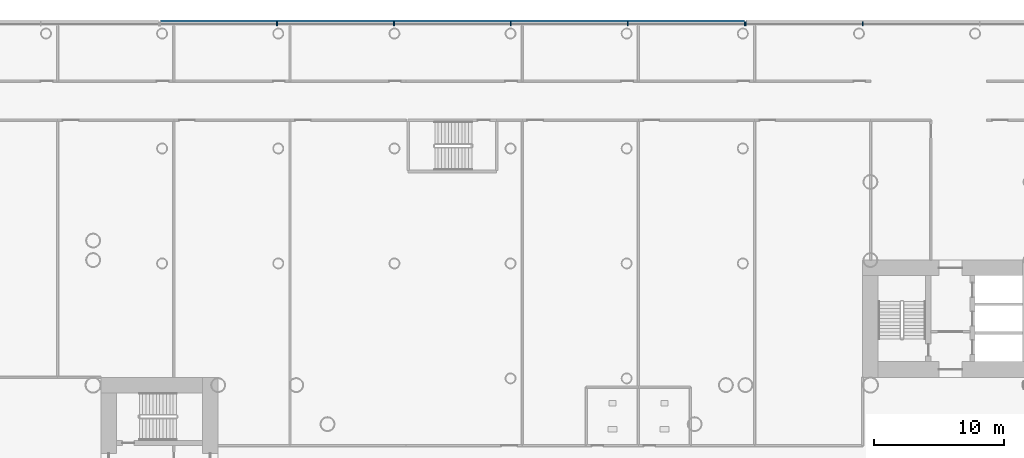
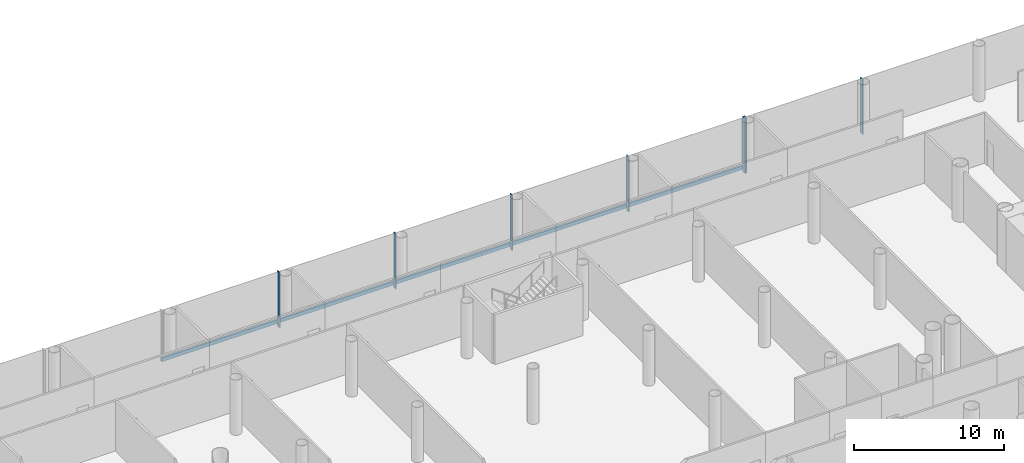
# One storey, part 11 of 51: 8 members, 2 elements without a shape of their own.
"""IFC4 building model written with IfcOpenShell, lengths in metres."""

import ifcopenshell
import ifcopenshell.guid

model = None  # the IFC model being written
_history = None  # IfcOwnerHistory: only IFC2X3 demands one
_inside = {}  # id of a spatial element -> (the spatial element, [elements in it])
_under = {}  # id of a project, library or spatial element -> (it, [spatial elements below it])
_declared = {}  # id of a project -> (the project, [libraries it declares])
_typed = {}  # id of a type object -> (the type object, [elements of that type])
_made_of = {}  # id of a material, layer set ... -> (it, [elements and type objects made of it])


def new_model(schema):
    """Start an empty IFC model of exactly this schema.

    Asked for "IFC4X3", IfcOpenShell would pick the latest addendum, in which some entities
    have other attributes; the version numbers below select the first issue.
    IFC2X3 requires an IfcOwnerHistory on every rooted entity: one is made here for all.
    """
    global model, _history
    if schema == "IFC4X3":
        model = ifcopenshell.file(schema_version=(4, 3, 0, 0))
    else:
        model = ifcopenshell.file(schema=schema)
    _inside.clear()
    _under.clear()
    _declared.clear()
    _typed.clear()
    _made_of.clear()
    _history = None
    if model.schema == "IFC2X3":
        org = make("IfcOrganization", Name="unknown")
        user = make(
            "IfcPersonAndOrganization",
            ThePerson=make("IfcPerson", FamilyName="unknown"),
            TheOrganization=org,
        )
        app = make(
            "IfcApplication",
            ApplicationDeveloper=org,
            Version="unknown",
            ApplicationFullName="unknown",
            ApplicationIdentifier="unknown",
        )
        _history = make(
            "IfcOwnerHistory",
            OwningUser=user,
            OwningApplication=app,
            ChangeAction="ADDED",
            CreationDate=0,
        )
    return model


def make(cls, **values):
    """One entity of the class cls with the attributes given. An attribute that is None is left unset."""
    return model.create_entity(
        cls, **{name: value for name, value in values.items() if value is not None}
    )


def rooted(cls, **values):
    """An entity with a GlobalId (a new one), such as an element, a storey or a relation."""
    return make(cls, GlobalId=ifcopenshell.guid.new(), OwnerHistory=_history, **values)


def si_unit(unit_type, name, prefix=None):
    """IfcSIUnit, for example si_unit("LENGTHUNIT", "METRE", prefix="MILLI")."""
    return make("IfcSIUnit", UnitType=unit_type, Prefix=prefix, Name=name)


def assignment(units):
    """IfcUnitAssignment: the units of a project."""
    return None if units is None else make("IfcUnitAssignment", Units=units)


def point(xyz):
    """IfcCartesianPoint."""
    return None if xyz is None else make("IfcCartesianPoint", Coordinates=xyz)


def direction(xyz):
    """IfcDirection."""
    return None if xyz is None else make("IfcDirection", DirectionRatios=xyz)


def frame(location, z_axis=None, x_axis=None):
    """IfcAxis2Placement3D, a coordinate frame: its origin and axes. An axis left out is left unset."""
    return make(
        "IfcAxis2Placement3D",
        Location=point(location),
        Axis=direction(z_axis),
        RefDirection=direction(x_axis),
    )


def frame_2d(location, x_axis=None):
    """IfcAxis2Placement2D, a coordinate frame in the plane: its origin and x axis."""
    return make(
        "IfcAxis2Placement2D", Location=point(location), RefDirection=direction(x_axis)
    )


def origin():
    """The frame at (0, 0, 0) with its axes left unset."""
    return frame((0.0, 0.0, 0.0))


def origin_2d():
    """The frame at (0, 0) in the plane with its x axis left unset."""
    return frame_2d((0.0, 0.0))


def place(relative_to, where):
    """IfcLocalPlacement: puts the frame where relative to a parent placement (None: the world)."""
    return make(
        "IfcLocalPlacement", PlacementRelTo=relative_to, RelativePlacement=where
    )


def context(
    kind, dimensions, precision=None, world=None, true_north=None, identifier=None
):
    """IfcGeometricRepresentationContext, for example the 3D "Model" context."""
    return make(
        "IfcGeometricRepresentationContext",
        ContextIdentifier=identifier,
        ContextType=kind,
        CoordinateSpaceDimension=dimensions,
        Precision=precision,
        WorldCoordinateSystem=world,
        TrueNorth=true_north,
    )


def subcontext(parent, identifier, kind, view, scale=None):
    """IfcGeometricRepresentationSubContext, for example "Body" below "Model"."""
    return make(
        "IfcGeometricRepresentationSubContext",
        ContextIdentifier=identifier,
        ContextType=kind,
        ParentContext=parent,
        TargetScale=scale,
        TargetView=view,
    )


def project(units=None, contexts=None):
    """IfcProject with its units and contexts."""
    return rooted(
        "IfcProject",
        Name="project",
        RepresentationContexts=contexts,
        UnitsInContext=assignment(units),
    )


def spatial(cls, under=None, at=None, **own):
    """A site, building, storey or space (cls), placed at a placement, below another one or the project."""
    s = rooted(cls, ObjectPlacement=at, **own)
    if under is not None:
        _under.setdefault(under.id(), (under, []))[1].append(s)
    return s


def profile(cls, at=None, kind="AREA", **sizes):
    """A parametric profile (cls). Its sizes go by their IFC names, for example OverallWidth=200.0."""
    return make(cls, ProfileType=kind, Position=at, **sizes)


def rectangle(**sizes):
    """IfcRectangleProfileDef."""
    return profile("IfcRectangleProfileDef", **sizes)


def extrude(swept, where, along, depth):
    """IfcExtrudedAreaSolid: the profile swept, set in the frame where, extruded along a direction by depth."""
    return make(
        "IfcExtrudedAreaSolid",
        SweptArea=swept,
        Position=where,
        ExtrudedDirection=direction(along),
        Depth=depth,
    )


def shape(context_of_items, identifier, shape_type, items):
    """IfcShapeRepresentation: the items that make up one representation, for example the "Body"."""
    return make(
        "IfcShapeRepresentation",
        ContextOfItems=context_of_items,
        RepresentationIdentifier=identifier,
        RepresentationType=shape_type,
        Items=items,
    )


def material(Name=None, Category=None):
    """IfcMaterial."""
    return make("IfcMaterial", Name=Name, Category=Category)


def layer(
    of_material, thickness, ventilated=None, Name=None, Category=None, Priority=None
):
    """IfcMaterialLayer: one layer of a wall or slab, of a material (None: an air gap)."""
    return make(
        "IfcMaterialLayer",
        Material=of_material,
        LayerThickness=thickness,
        IsVentilated=ventilated,
        Name=Name,
        Category=Category,
        Priority=Priority,
    )


def layer_set(layers, Name=None):
    """IfcMaterialLayerSet."""
    return make("IfcMaterialLayerSet", MaterialLayers=layers, LayerSetName=Name)


def material_profile(
    of_material, cross_section, Name=None, Category=None, Priority=None
):
    """IfcMaterialProfile: a cross section and its material."""
    return make(
        "IfcMaterialProfile",
        Name=Name,
        Material=of_material,
        Profile=cross_section,
        Priority=Priority,
        Category=Category,
    )


def profile_set(profiles, Name=None, composite=None):
    """IfcMaterialProfileSet."""
    return make(
        "IfcMaterialProfileSet",
        Name=Name,
        MaterialProfiles=profiles,
        CompositeProfile=composite,
    )


def made_of(thing, what):
    """Note that an element or type object is made of a material, layer set ...; save() writes the relation."""
    if what is not None:
        _made_of.setdefault(what.id(), (what, []))[1].append(thing)
    return thing


def type_object(cls, material=None, **own):
    """A type object (cls), such as IfcWallType, which elements share."""
    return made_of(rooted(cls, **own), material)


def element(
    cls,
    number,
    at=None,
    inside=None,
    cuts=None,
    type_object=None,
    material=None,
    context=None,
    identifier="Body",
    shape_type=None,
    held_by="IfcProductDefinitionShape",
    body=None,
    shapes=None,
    **own,
):
    """One element of the class cls, such as IfcWall. Its Tag is "e" and its number.

    at: its placement. inside: the storey or other place that contains it. cuts: it is an
    opening in that element (IfcRelVoidsElement). A single representation is given by context,
    identifier, shape_type and body (its items); several are given by shapes. held_by: the class
    of the entity that holds the representations. save() writes the other relations.
    """
    e = rooted(cls, Tag="e%d" % number, ObjectPlacement=at, **own)
    if body is not None:
        shapes = [shape(context, identifier, shape_type, body)]
    if shapes is not None:
        e.Representation = make(held_by, Representations=shapes)
    if inside is not None:
        _inside.setdefault(inside.id(), (inside, []))[1].append(e)
    if cuts is not None:
        rooted(
            "IfcRelVoidsElement", RelatingBuildingElement=cuts, RelatedOpeningElement=e
        )
    if type_object is not None:
        _typed.setdefault(type_object.id(), (type_object, []))[1].append(e)
    return made_of(e, material)


def aggregate(whole, parts):
    """IfcRelAggregates: a whole, such as a stair, and the parts it consists of."""
    return rooted("IfcRelAggregates", RelatingObject=whole, RelatedObjects=parts)


def save(model, path):
    """Write the relations noted so far, then the file.

    IfcRelAggregates (storeys below a building ...), IfcRelContainedInSpatialStructure (elements
    in a storey), IfcRelDefinesByType, IfcRelAssociatesMaterial and IfcRelDeclares: one each for
    every whole, place, type object, material and project.
    """
    for whole, parts in _under.values():
        aggregate(whole, parts)
    for where, things in _inside.values():
        rooted(
            "IfcRelContainedInSpatialStructure",
            RelatedElements=things,
            RelatingStructure=where,
        )
    for kind, things in _typed.values():
        rooted("IfcRelDefinesByType", RelatedObjects=things, RelatingType=kind)
    for what, things in _made_of.values():
        rooted("IfcRelAssociatesMaterial", RelatedObjects=things, RelatingMaterial=what)
    for by, libraries in _declared.values():
        rooted("IfcRelDeclares", RelatingContext=by, RelatedDefinitions=libraries)
    model.write(path)


model = new_model("IFC4")

# Units and contexts
model_context = context("Model", 3, precision=1e-05, world=origin(), true_north=direction((0.0, 1.0)))
body_context = subcontext(model_context, "Body", "Model", "MODEL_VIEW")
ifc_project = project(units=[si_unit("LENGTHUNIT", "METRE"), si_unit("AREAUNIT", "SQUARE_METRE"), si_unit("VOLUMEUNIT", "CUBIC_METRE"), si_unit("PLANEANGLEUNIT", "RADIAN"), si_unit("MASSUNIT", "GRAM", prefix="KILO")], contexts=[model_context])

# Site, building, storey
site_placement = place(None, origin())
site = spatial("IfcSite", under=ifc_project, at=site_placement, CompositionType="ELEMENT")
building_placement = place(site_placement, origin())
building = spatial("IfcBuilding", under=site, at=building_placement, Name="Ipe Terrace Towers", CompositionType="ELEMENT")
storey_placement = place(building_placement, frame((0.0, 0.0, 15.5)))
storey = spatial("IfcBuildingStorey", under=building, at=storey_placement, Name="L03", CompositionType="ELEMENT", Elevation=15.5)

# Curtain wall, members
ifc_material_1 = material(Name="Aluminium alloy 6063-T6", Category="aluminium")
ifc_layer = layer(ifc_material_1, 0.43994140625)
ifc_layer_set = layer_set([ifc_layer], Name="PODIUM GLAZING CURTAIN WALL")
curtain_wall_type = type_object("IfcCurtainWallType", Name="PODIUM GLAZING CURTAIN WALL", PredefinedType="NOTDEFINED", material=ifc_layer_set)
curtain_wall_1_placement = place(storey_placement, origin())
curtain_wall_1 = element("IfcCurtainWall", 1, at=curtain_wall_1_placement, inside=storey, type_object=curtain_wall_type, Name="POD-CW-L03-01a curtain wall", PredefinedType="NOTDEFINED")
ifc_material_2 = material(Name="Aluminium alloy 6063-T6", Category="aluminium")
ifc_material_profile_1 = material_profile(ifc_material_2, rectangle(XDim=0.300048828125, YDim=0.080078125, at=origin_2d()), Name="PODIUM GLAZING MULLION 300 x 80")
ifc_profile_set_1 = profile_set([ifc_material_profile_1], Name="Aluminium alloy 6063-T6")
member_type_1 = type_object("IfcMemberType", Name="PODIUM GLAZING MULLION 300 x 80", PredefinedType="MULLION", material=ifc_profile_set_1)
member_1_placement = place(storey_placement, frame((29.27392578125, 33.89990234375, -0.300048828125), z_axis=(0.0, 0.0, 1.0), x_axis=(0.0, 1.0, 0.0)))
member_1 = element("IfcMember", 2, at=member_1_placement, type_object=member_type_1, Name="POD-CW-L03-01a mullion 5", PredefinedType="MULLION", context=body_context, shape_type="SweptSolid", body=[
    extrude(rectangle(XDim=0.300048828125, YDim=0.080078125, at=origin_2d()), origin(), (0.0, 0.0, 1.0), 4.5),
])
member_2_placement = place(storey_placement, frame((20.2900390625, 33.89990234375, -0.300048828125), z_axis=(0.0, 0.0, 1.0), x_axis=(0.0, 1.0, 0.0)))
member_2 = element("IfcMember", 3, at=member_2_placement, type_object=member_type_1, Name="POD-CW-L03-01a mullion 6", PredefinedType="MULLION", context=body_context, shape_type="SweptSolid", body=[
    extrude(rectangle(XDim=0.300048828125, YDim=0.080078125, at=origin_2d()), origin(), (0.0, 0.0, 1.0), 4.5),
])
aggregate(curtain_wall_1, [member_1, member_2])

curtain_wall_2_placement = place(storey_placement, origin())
curtain_wall_2 = element("IfcCurtainWall", 4, at=curtain_wall_2_placement, inside=storey, type_object=curtain_wall_type, Name="POD-CW-L03-01b curtain wall", PredefinedType="NOTDEFINED")
member_3_placement = place(storey_placement, frame((20.2099609375, 33.89990234375, -0.300048828125), z_axis=(0.0, 0.0, 1.0), x_axis=(0.0, 1.0, 0.0)))
member_3 = element("IfcMember", 5, at=member_3_placement, type_object=member_type_1, Name="POD-CW-L03-01b mullion 1", PredefinedType="MULLION", context=body_context, shape_type="SweptSolid", body=[
    extrude(rectangle(XDim=0.300048828125, YDim=0.080078125, at=origin_2d()), origin(), (0.0, 0.0, 1.0), 4.5),
])
member_4_placement = place(storey_placement, frame((11.22607421875, 33.89990234375, -0.300048828125), z_axis=(0.0, 0.0, 1.0), x_axis=(0.0, 1.0, 0.0)))
member_4 = element("IfcMember", 6, at=member_4_placement, type_object=member_type_1, Name="POD-CW-L03-01b mullion 2", PredefinedType="MULLION", context=body_context, shape_type="SweptSolid", body=[
    extrude(rectangle(XDim=0.300048828125, YDim=0.080078125, at=origin_2d()), origin(), (0.0, 0.0, 1.0), 4.5),
])
member_5_placement = place(storey_placement, frame((2.241943359375, 33.89990234375, -0.300048828125), z_axis=(0.0, 0.0, 1.0), x_axis=(0.0, 1.0, 0.0)))
member_5 = element("IfcMember", 7, at=member_5_placement, type_object=member_type_1, Name="POD-CW-L03-01b mullion 3", PredefinedType="MULLION", context=body_context, shape_type="SweptSolid", body=[
    extrude(rectangle(XDim=0.300048828125, YDim=0.080078125, at=origin_2d()), origin(), (0.0, 0.0, 1.0), 4.5),
])
member_6_placement = place(storey_placement, frame((-6.741943359375, 33.89990234375, -0.300048828125), z_axis=(0.0, 0.0, 1.0), x_axis=(0.0, 1.0, 0.0)))
member_6 = element("IfcMember", 8, at=member_6_placement, type_object=member_type_1, Name="POD-CW-L03-01b mullion 4", PredefinedType="MULLION", context=body_context, shape_type="SweptSolid", body=[
    extrude(rectangle(XDim=0.300048828125, YDim=0.080078125, at=origin_2d()), origin(), (0.0, 0.0, 1.0), 4.5),
])
member_7_placement = place(storey_placement, frame((-15.72607421875, 33.89990234375, -0.300048828125), z_axis=(0.0, 0.0, 1.0), x_axis=(0.0, 1.0, 0.0)))
member_7 = element("IfcMember", 9, at=member_7_placement, type_object=member_type_1, Name="POD-CW-L03-01b mullion 5", PredefinedType="MULLION", context=body_context, shape_type="SweptSolid", body=[
    extrude(rectangle(XDim=0.300048828125, YDim=0.080078125, at=origin_2d()), origin(), (0.0, 0.0, 1.0), 4.5),
])
ifc_material_3 = material(Name="Aluminium alloy 6063-T6", Category="aluminium")
ifc_material_profile_2 = material_profile(ifc_material_3, rectangle(XDim=0.139892578125, YDim=0.300048828125, at=origin_2d()), Name="PODIUM GLAZING TRANSOM 140 x 300")
ifc_profile_set_2 = profile_set([ifc_material_profile_2], Name="Aluminium alloy 6063-T6")
member_type_2 = type_object("IfcMemberType", Name="PODIUM GLAZING TRANSOM 140 x 300", PredefinedType="USERDEFINED", material=ifc_profile_set_2)
member_8_placement = place(storey_placement, frame((20.169921875, 34.1201171875, 0.0), z_axis=(-1.0, 0.0, 0.0), x_axis=(0.0, 1.0, 0.0)))
member_8 = element("IfcMember", 10, at=member_8_placement, type_object=member_type_2, Name="POD-CW-L03-01b transom", ObjectType="TRANSOM", PredefinedType="USERDEFINED", context=body_context, shape_type="SweptSolid", body=[
    extrude(rectangle(XDim=0.139892578125, YDim=0.300048828125, at=origin_2d()), origin(), (0.0, 0.0, 1.0), 44.83984375),
])
aggregate(curtain_wall_2, [member_3, member_4, member_5, member_6, member_7, member_8])

save(model, "model.ifc")
